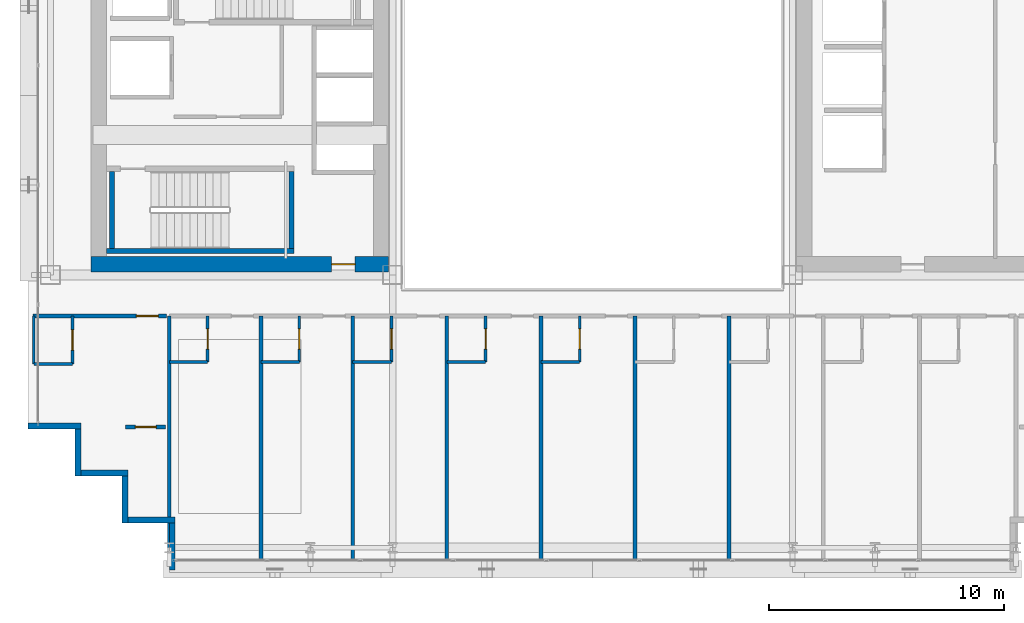
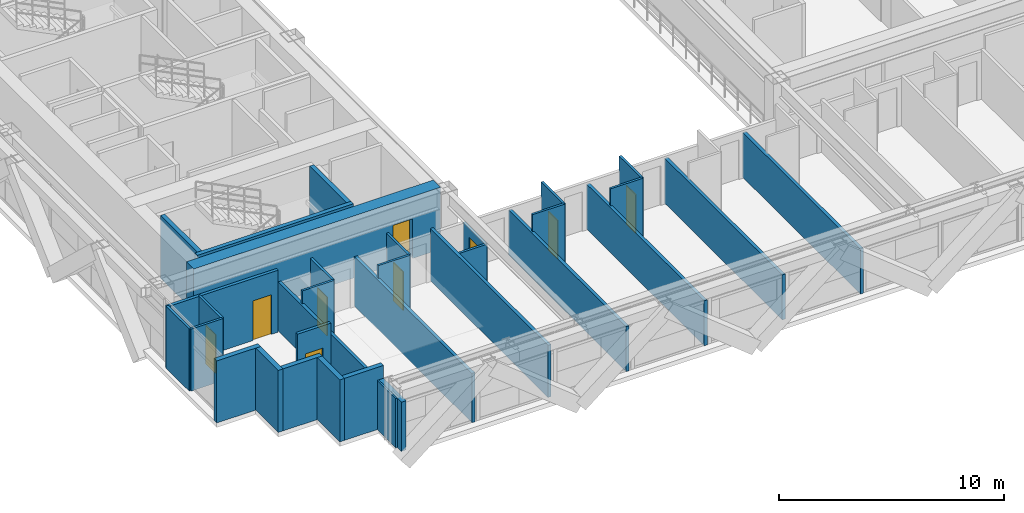
# One storey, part 27 of 36: 32 walls, 9 doors, 9 openings.
"""IFC4 building model written with IfcOpenShell, lengths in metres."""

from ifc_helpers import new_model, si_unit, direction, frame, frame_2d, origin, place, context, subcontext, project, spatial, rectangle, extrude, source, transform, mapped, material, layer, layer_set, type_object, element, fill, save


model = new_model("IFC4")

# Units and contexts
model_context = context("Model", 3, precision=1e-05, world=origin(), true_north=direction((0.0, 1.0)))
body_context = subcontext(model_context, "Body", "Model", "MODEL_VIEW")
ifc_project = project(units=[si_unit("LENGTHUNIT", "METRE"), si_unit("AREAUNIT", "SQUARE_METRE"), si_unit("VOLUMEUNIT", "CUBIC_METRE"), si_unit("PLANEANGLEUNIT", "RADIAN"), si_unit("MASSUNIT", "GRAM", prefix="KILO")], contexts=[model_context])

# Site, building, storey
site_placement = place(None, origin())
site = spatial("IfcSite", under=ifc_project, at=site_placement, CompositionType="ELEMENT")
building_placement = place(site_placement, origin())
building = spatial("IfcBuilding", under=site, at=building_placement, Name="Ocotamira Hotel", CompositionType="ELEMENT")
storey_placement = place(building_placement, frame((0.0, 0.0, 133.199951171875)))
storey = spatial("IfcBuildingStorey", under=building, at=storey_placement, Name="L33", CompositionType="ELEMENT", Elevation=133.199951171875)

# Wall, opening, door
ifc_material_1 = material(Name="Concrete C60/75", Category="concrete")
ifc_layer_1 = layer(ifc_material_1, 0.64990234375)
ifc_layer_set_1 = layer_set([ifc_layer_1], Name="Concrete C60/75")
wall_type_1 = type_object("IfcWallType", Name="WL-CORE-650", PredefinedType="SHEAR", material=ifc_layer_set_1)
wall_1_placement = place(storey_placement, frame((10.675048828125, 15.0, 0.0), z_axis=(0.0, 0.0, 1.0), x_axis=(1.0, 0.0, 0.0)))
wall_1 = element("IfcWall", 1, at=wall_1_placement, inside=storey, type_object=wall_type_1, Name="L33 Shear Core Wall WCORE-S", PredefinedType="SHEAR", context=body_context, shape_type="SweptSolid", body=[
    extrude(rectangle(XDim=12.64990234375, YDim=0.64990234375, at=frame_2d((6.324951171875, 0.0))), origin(), (0.0, 0.0, 1.0), 3.360107421875),
])
opening_1_placement = place(wall_1_placement, frame((10.22509765625, 0.0, 0.0)))
opening_1 = element("IfcOpeningElement", 2, at=opening_1_placement, cuts=wall_1, Name="Opening D-FR2", PredefinedType="OPENING", context=body_context, shape_type="SweptSolid", body=[
    extrude(rectangle(XDim=1.0, YDim=2.14990234375, at=frame_2d((0.5, 1.074951171875))), frame((0.0, 0.3349609375, 0.0), z_axis=(0.0, -1.0, 0.0), x_axis=(1.0, 0.0, 0.0)), (0.0, 0.0, 1.0), 0.669921875),
])
ifc_material_2 = material(Name="Fire-rated acoustic timber-veneer door", Category="wood")
door_type_1 = type_object("IfcDoorType", Name="DR-FIRE-1000", OperationType="NOTDEFINED", PredefinedType="DOOR", material=ifc_material_2)
shared_shape_1 = source(origin(), body_context, "Body", "SweptSolid", [
    extrude(rectangle(XDim=1.0, YDim=2.14990234375, at=frame_2d((0.5, 1.074951171875))), frame((0.0, 0.02490234375, 0.0), z_axis=(0.0, -1.0, 0.0), x_axis=(1.0, 0.0, 0.0)), (0.0, 0.0, 1.0), 0.050048828125),
])
door_1_placement = place(opening_1_placement, origin())
door_1 = element("IfcDoor", 3, at=door_1_placement, inside=storey, type_object=door_type_1, Name="L33 Door ID-L33-WLOB-S-D [ID-L33-WLOB-S-D]", OperationType="SINGLE_SWING_LEFT", OverallHeight=2.14990234375, OverallWidth=1.0, PredefinedType="DOOR", context=body_context, shape_type="MappedRepresentation", body=[
    mapped(shared_shape_1, transform((0.0, 0.0, 0.0), scale=1.0)),
])
fill(opening_1, door_1)

# Walls
ifc_material_3 = material(Name="Precast concrete C45/55", Category="concrete")
ifc_layer_2 = layer(ifc_material_3, 0.25)
ifc_layer_set_2 = layer_set([ifc_layer_2], Name="Precast concrete C45/55")
wall_type_2 = type_object("IfcWallType", Name="WL-EXT-SER-250", PredefinedType="SOLIDWALL", material=ifc_layer_set_2)
wall_2_placement = place(storey_placement, frame((8.0, 8.125, 0.0), z_axis=(0.0, 0.0, 1.0), x_axis=(1.0, 0.0, 0.0)))
element("IfcWall", 4, at=wall_2_placement, inside=storey, type_object=wall_type_2, Name="L33 Serrated Corner Wall 19", PredefinedType="SOLIDWALL", context=body_context, shape_type="SweptSolid", body=[
    extrude(rectangle(XDim=2.25, YDim=0.25, at=frame_2d((1.125, 0.0))), origin(), (0.0, 0.0, 1.0), 3.360107421875),
])
for number, where, z_axis, x_axis, name in (
    (5, (10.125, 8.0, 0.0), (0.0, 0.0, 1.0), (0.0, -1.0, 0.0), "L33 Serrated Corner Wall 20"),
    (6, (10.25, 6.125, 0.0), (0.0, 0.0, 1.0), (1.0, 0.0, 0.0), "L33 Serrated Corner Wall 21"),
    (7, (12.125, 6.0, 0.0), (0.0, 0.0, 1.0), (0.0, -1.0, 0.0), "L33 Serrated Corner Wall 22"),
    (8, (12.25, 4.125, 0.0), (0.0, 0.0, 1.0), (1.0, 0.0, 0.0), "L33 Serrated Corner Wall 23"),
):
    element("IfcWall", number, at=place(storey_placement, frame(where, z_axis=z_axis, x_axis=x_axis)), inside=storey, type_object=wall_type_2, Name=name, PredefinedType="SOLIDWALL", context=body_context, shape_type="SweptSolid", body=[
        extrude(rectangle(XDim=2.0, YDim=0.25, at=frame_2d((1.0, 0.0))), origin(), (0.0, 0.0, 1.0), 3.360107421875),
    ])
wall_3_placement = place(storey_placement, frame((14.125, 4.0, 0.0), z_axis=(0.0, 0.0, 1.0), x_axis=(0.0, -1.0, 0.0)))
element("IfcWall", 9, at=wall_3_placement, inside=storey, type_object=wall_type_2, Name="L33 Serrated Corner Wall 24", PredefinedType="SOLIDWALL", context=body_context, shape_type="SweptSolid", body=[
    extrude(rectangle(XDim=2.0, YDim=0.25, at=frame_2d((1.0, 0.0))), origin(), (0.0, 0.0, 1.0), 2.6669921875),
])

# Wall, opening, door
ifc_material_4 = material(Name="Acoustic double-layer fire gypsum board partition", Category="gypsum")
ifc_layer_3 = layer(ifc_material_4, 0.159912109375)
ifc_layer_set_3 = layer_set([ifc_layer_3], Name="Acoustic double-layer fire gypsum board partition")
wall_type_3 = type_object("IfcWallType", Name="WL-FIRE-160", PredefinedType="PARTITIONING", material=ifc_layer_set_3)
wall_4_placement = place(storey_placement, frame((8.199951171875, 12.800048828125, 0.0), z_axis=(0.0, 0.0, 1.0), x_axis=(1.0, 0.0, 0.0)))
wall_4 = element("IfcWall", 10, at=wall_4_placement, inside=storey, type_object=wall_type_3, Name="L33 Interior Wall PW-L33-Z2D-CSW-CW", PredefinedType="PARTITIONING", context=body_context, shape_type="SweptSolid", body=[
    extrude(rectangle(XDim=5.679931640625, YDim=0.159912109375, at=frame_2d((2.83984375, 0.0))), origin(), (0.0, 0.0, 1.0), 3.360107421875),
])
opening_2_placement = place(wall_4_placement, frame((4.39990234375, 0.0, 0.0)))
opening_2 = element("IfcOpeningElement", 11, at=opening_2_placement, cuts=wall_4, Name="Opening D-GR1", PredefinedType="OPENING", context=body_context, shape_type="SweptSolid", body=[
    extrude(rectangle(XDim=0.93994140625, YDim=2.14990234375, at=frame_2d((0.469970703125, 1.074951171875))), frame((0.0, 0.08984375, 0.0), z_axis=(0.0, -1.0, 0.0), x_axis=(1.0, 0.0, 0.0)), (0.0, 0.0, 1.0), 0.179931640625),
])
ifc_material_5 = material(Name="Solid-core walnut suite entrance fire door", Category="wood")
door_type_2 = type_object("IfcDoorType", Name="DR-GUEST-940", OperationType="NOTDEFINED", PredefinedType="DOOR", material=ifc_material_5)
shared_shape_2 = source(origin(), body_context, "Body", "SweptSolid", [
    extrude(rectangle(XDim=0.93994140625, YDim=2.14990234375, at=frame_2d((0.469970703125, 1.074951171875))), frame((0.0, 0.02490234375, 0.0), z_axis=(0.0, -1.0, 0.0), x_axis=(1.0, 0.0, 0.0)), (0.0, 0.0, 1.0), 0.050048828125),
])
door_2_placement = place(opening_2_placement, origin())
door_2 = element("IfcDoor", 12, at=door_2_placement, inside=storey, type_object=door_type_2, Name="L33 Door ID-L33-Z2D-CSW-CD [ID-L33-Z2D-CSW-CD]", OperationType="SINGLE_SWING_RIGHT", OverallHeight=2.14990234375, OverallWidth=0.93994140625, PredefinedType="DOOR", context=body_context, shape_type="MappedRepresentation", body=[
    mapped(shared_shape_2, transform((0.0, 0.0, 0.0), scale=1.0)),
])
fill(opening_2, door_2)

wall_5_placement = place(storey_placement, frame((12.14990234375, 8.080078125, 0.0), z_axis=(0.0, 0.0, 1.0), x_axis=(1.0, 0.0, 0.0)))
wall_5 = element("IfcWall", 13, at=wall_5_placement, inside=storey, type_object=wall_type_3, Name="L33 Interior Wall PW-L33-Z2D-CSW2-CW", PredefinedType="PARTITIONING", context=body_context, shape_type="SweptSolid", body=[
    extrude(rectangle(XDim=1.7001953125, YDim=0.159912109375, at=frame_2d((0.85009765625, 0.0))), origin(), (0.0, 0.0, 1.0), 3.360107421875),
])
opening_3_placement = place(wall_5_placement, frame((0.409912109375, 0.0, 0.0)))
opening_3 = element("IfcOpeningElement", 14, at=opening_3_placement, cuts=wall_5, Name="Opening D-SV2", PredefinedType="OPENING", context=body_context, shape_type="SweptSolid", body=[
    extrude(rectangle(XDim=0.8798828125, YDim=2.14990234375, at=frame_2d((0.43994140625, 1.074951171875))), frame((0.0, 0.08984375, 0.0), z_axis=(0.0, -1.0, 0.0), x_axis=(1.0, 0.0, 0.0)), (0.0, 0.0, 1.0), 0.179931640625),
])
ifc_material_6 = material(Name="Fire-rated painted steel service door", Category="steel")
door_type_3 = type_object("IfcDoorType", Name="DR-SERV-880", OperationType="NOTDEFINED", PredefinedType="DOOR", material=ifc_material_6)
shared_shape_3 = source(origin(), body_context, "Body", "SweptSolid", [
    extrude(rectangle(XDim=0.8798828125, YDim=2.14990234375, at=frame_2d((0.43994140625, 1.074951171875))), frame((0.0, 0.02490234375, 0.0), z_axis=(0.0, -1.0, 0.0), x_axis=(1.0, 0.0, 0.0)), (0.0, 0.0, 1.0), 0.050048828125),
])
door_3_placement = place(opening_3_placement, origin())
door_3 = element("IfcDoor", 15, at=door_3_placement, inside=storey, type_object=door_type_3, Name="L33 Door ID-L33-Z2D-CSW2-CD [ID-L33-Z2D-CSW2-CD]", OperationType="SINGLE_SWING_LEFT", OverallHeight=2.14990234375, OverallWidth=0.8798828125, PredefinedType="DOOR", context=body_context, shape_type="MappedRepresentation", body=[
    mapped(shared_shape_3, transform((0.0, 0.0, 0.0), scale=1.0)),
])
fill(opening_3, door_3)

ifc_material_7 = material(Name="Moisture-resistant en-suite tile and gypsum partition", Category="gypsum")
ifc_layer_4 = layer(ifc_material_7, 0.1201171875)
ifc_layer_set_4 = layer_set([ifc_layer_4], Name="Moisture-resistant en-suite tile and gypsum partition")
wall_type_4 = type_object("IfcWallType", Name="WL-PART-120", PredefinedType="PARTITIONING", material=ifc_layer_set_4)
wall_6_placement = place(storey_placement, frame((9.889892578125, 10.760009765625, 0.0), z_axis=(0.0, 0.0, 1.0), x_axis=(0.0, 1.0, 0.0)))
wall_6 = element("IfcWall", 16, at=wall_6_placement, inside=storey, type_object=wall_type_4, Name="L33 Interior Wall PW-L33-Z2D-CSW-BE", PredefinedType="PARTITIONING", context=body_context, shape_type="SweptSolid", body=[
    extrude(rectangle(XDim=2.0400390625, YDim=0.1201171875, at=frame_2d((1.02001953125, 0.0))), origin(), (0.0, 0.0, 1.0), 3.360107421875),
])
opening_4_placement = place(wall_6_placement, frame((0.590087890625, 0.0, 0.0)))
opening_4 = element("IfcOpeningElement", 17, at=opening_4_placement, cuts=wall_6, Name="Opening D-BA1", PredefinedType="OPENING", context=body_context, shape_type="SweptSolid", body=[
    extrude(rectangle(XDim=0.860107421875, YDim=2.10009765625, at=frame_2d((0.43017578125, 1.050048828125))), frame((0.0, 0.070068359375, 0.0), z_axis=(0.0, -1.0, 0.0), x_axis=(1.0, 0.0, 0.0)), (0.0, 0.0, 1.0), 0.14013671875),
])
ifc_material_8 = material(Name="Moisture-sealed en-suite timber door", Category="wood")
door_type_4 = type_object("IfcDoorType", Name="DR-BATH-860", OperationType="NOTDEFINED", PredefinedType="DOOR", material=ifc_material_8)
shared_shape_4 = source(origin(), body_context, "Body", "SweptSolid", [
    extrude(rectangle(XDim=0.860107421875, YDim=2.10009765625, at=frame_2d((0.43017578125, 1.050048828125))), frame((0.0, 0.02490234375, 0.0), z_axis=(0.0, -1.0, 0.0), x_axis=(1.0, 0.0, 0.0)), (0.0, 0.0, 1.0), 0.050048828125),
])
door_4_placement = place(opening_4_placement, origin())
door_4 = element("IfcDoor", 18, at=door_4_placement, inside=storey, type_object=door_type_4, Name="L33 Door ID-L33-Z2D-CSW-BD [ID-L33-Z2D-CSW-BD]", OperationType="SINGLE_SWING_LEFT", OverallHeight=2.10009765625, OverallWidth=0.860107421875, PredefinedType="DOOR", context=body_context, shape_type="MappedRepresentation", body=[
    mapped(shared_shape_4, transform((0.0, 0.0, 0.0), scale=1.0)),
])
fill(opening_4, door_4)

# Walls
wall_7_placement = place(storey_placement, frame((8.239990234375, 10.760009765625, 0.0), z_axis=(0.0, 0.0, 1.0), x_axis=(0.0, 1.0, 0.0)))
element("IfcWall", 19, at=wall_7_placement, inside=storey, type_object=wall_type_4, Name="L33 Interior Wall PW-L33-Z2D-CSW-BW", PredefinedType="PARTITIONING", context=body_context, shape_type="SweptSolid", body=[
    extrude(rectangle(XDim=2.0400390625, YDim=0.1201171875, at=frame_2d((1.02001953125, 0.0))), origin(), (0.0, 0.0, 1.0), 3.360107421875),
])
wall_8_placement = place(storey_placement, frame((8.239990234375, 10.760009765625, 0.0), z_axis=(0.0, 0.0, 1.0), x_axis=(1.0, 0.0, 0.0)))
element("IfcWall", 20, at=wall_8_placement, inside=storey, type_object=wall_type_4, Name="L33 Interior Wall PW-L33-Z2D-CSW-BH", PredefinedType="PARTITIONING", context=body_context, shape_type="SweptSolid", body=[
    extrude(rectangle(XDim=1.64990234375, YDim=0.1201171875, at=frame_2d((0.824951171875, 0.0))), origin(), (0.0, 0.0, 1.0), 3.360107421875),
])

# Wall, opening, door
wall_9_placement = place(storey_placement, frame((15.6298828125, 10.85009765625, 0.0), z_axis=(0.0, 0.0, 1.0), x_axis=(0.0, 1.0, 0.0)))
wall_9 = element("IfcWall", 21, at=wall_9_placement, inside=storey, type_object=wall_type_4, Name="L33 Interior Wall PW-L33-Z2DS-BAE1", PredefinedType="PARTITIONING", context=body_context, shape_type="SweptSolid", body=[
    extrude(rectangle(XDim=1.949951171875, YDim=0.1201171875, at=frame_2d((0.97509765625, 0.0))), origin(), (0.0, 0.0, 1.0), 3.360107421875),
])
opening_5_placement = place(wall_9_placement, frame((0.544921875, 0.0, 0.0)))
opening_5 = element("IfcOpeningElement", 22, at=opening_5_placement, cuts=wall_9, Name="Opening D-BA1", PredefinedType="OPENING", context=body_context, shape_type="SweptSolid", body=[
    extrude(rectangle(XDim=0.860107421875, YDim=2.10009765625, at=frame_2d((0.43017578125, 1.050048828125))), frame((0.0, 0.070068359375, 0.0), z_axis=(0.0, -1.0, 0.0), x_axis=(1.0, 0.0, 0.0)), (0.0, 0.0, 1.0), 0.14013671875),
])
door_5_placement = place(opening_5_placement, origin())
door_5 = element("IfcDoor", 23, at=door_5_placement, inside=storey, type_object=door_type_4, Name="L33 Door ID-L33-Z2DS-BAD1 [ID-L33-Z2DS-BAD1]", OperationType="SINGLE_SWING_RIGHT", OverallHeight=2.10009765625, OverallWidth=0.860107421875, PredefinedType="DOOR", context=body_context, shape_type="MappedRepresentation", body=[
    mapped(shared_shape_4, transform((0.0, 0.0, 0.0), scale=1.0)),
])
fill(opening_5, door_5)

# Wall
wall_10_placement = place(storey_placement, frame((14.0, 10.85009765625, 0.0), z_axis=(0.0, 0.0, 1.0), x_axis=(1.0, 0.0, 0.0)))
element("IfcWall", 24, at=wall_10_placement, inside=storey, type_object=wall_type_4, Name="L33 Interior Wall PW-L33-Z2DS-BAS1", PredefinedType="PARTITIONING", context=body_context, shape_type="SweptSolid", body=[
    extrude(rectangle(XDim=1.6298828125, YDim=0.1201171875, at=frame_2d((0.81494140625, 0.0))), origin(), (0.0, 0.0, 1.0), 3.360107421875),
])

# Wall, opening, door
wall_11_placement = place(storey_placement, frame((19.530029296875, 10.85009765625, 0.0), z_axis=(0.0, 0.0, 1.0), x_axis=(0.0, 1.0, 0.0)))
wall_11 = element("IfcWall", 25, at=wall_11_placement, inside=storey, type_object=wall_type_4, Name="L33 Interior Wall PW-L33-Z2DS-BAE2", PredefinedType="PARTITIONING", context=body_context, shape_type="SweptSolid", body=[
    extrude(rectangle(XDim=1.949951171875, YDim=0.1201171875, at=frame_2d((0.97509765625, 0.0))), origin(), (0.0, 0.0, 1.0), 3.360107421875),
])
opening_6_placement = place(wall_11_placement, frame((0.544921875, 0.0, 0.0)))
opening_6 = element("IfcOpeningElement", 26, at=opening_6_placement, cuts=wall_11, Name="Opening D-BA1", PredefinedType="OPENING", context=body_context, shape_type="SweptSolid", body=[
    extrude(rectangle(XDim=0.860107421875, YDim=2.10009765625, at=frame_2d((0.43017578125, 1.050048828125))), frame((0.0, 0.070068359375, 0.0), z_axis=(0.0, -1.0, 0.0), x_axis=(1.0, 0.0, 0.0)), (0.0, 0.0, 1.0), 0.14013671875),
])
door_6_placement = place(opening_6_placement, origin())
door_6 = element("IfcDoor", 27, at=door_6_placement, inside=storey, type_object=door_type_4, Name="L33 Door ID-L33-Z2DS-BAD2 [ID-L33-Z2DS-BAD2]", OperationType="SINGLE_SWING_LEFT", OverallHeight=2.10009765625, OverallWidth=0.860107421875, PredefinedType="DOOR", context=body_context, shape_type="MappedRepresentation", body=[
    mapped(shared_shape_4, transform((0.0, 0.0, 0.0), scale=1.0)),
])
fill(opening_6, door_6)

# Wall
wall_12_placement = place(storey_placement, frame((17.89990234375, 10.85009765625, 0.0), z_axis=(0.0, 0.0, 1.0), x_axis=(1.0, 0.0, 0.0)))
element("IfcWall", 28, at=wall_12_placement, inside=storey, type_object=wall_type_4, Name="L33 Interior Wall PW-L33-Z2DS-BAS2", PredefinedType="PARTITIONING", context=body_context, shape_type="SweptSolid", body=[
    extrude(rectangle(XDim=1.630126953125, YDim=0.1201171875, at=frame_2d((0.81494140625, 0.0))), origin(), (0.0, 0.0, 1.0), 3.360107421875),
])

# Wall, opening, door
wall_13_placement = place(storey_placement, frame((23.449951171875, 10.85009765625, 0.0), z_axis=(0.0, 0.0, 1.0), x_axis=(0.0, 1.0, 0.0)))
wall_13 = element("IfcWall", 29, at=wall_13_placement, inside=storey, type_object=wall_type_4, Name="L33 Interior Wall PW-L33-Z2DS-BAE3", PredefinedType="PARTITIONING", context=body_context, shape_type="SweptSolid", body=[
    extrude(rectangle(XDim=1.949951171875, YDim=0.1201171875, at=frame_2d((0.97509765625, 0.0))), origin(), (0.0, 0.0, 1.0), 2.5810546875),
])
opening_7_placement = place(wall_13_placement, frame((0.544921875, 0.0, 0.0)))
opening_7 = element("IfcOpeningElement", 30, at=opening_7_placement, cuts=wall_13, Name="Opening D-BA1", PredefinedType="OPENING", context=body_context, shape_type="SweptSolid", body=[
    extrude(rectangle(XDim=0.860107421875, YDim=2.10009765625, at=frame_2d((0.43017578125, 1.050048828125))), frame((0.0, 0.070068359375, 0.0), z_axis=(0.0, -1.0, 0.0), x_axis=(1.0, 0.0, 0.0)), (0.0, 0.0, 1.0), 0.14013671875),
])
door_7_placement = place(opening_7_placement, origin())
door_7 = element("IfcDoor", 31, at=door_7_placement, inside=storey, type_object=door_type_4, Name="L33 Door ID-L33-Z2DS-BAD3 [ID-L33-Z2DS-BAD3]", OperationType="SINGLE_SWING_RIGHT", OverallHeight=2.10009765625, OverallWidth=0.860107421875, PredefinedType="DOOR", context=body_context, shape_type="MappedRepresentation", body=[
    mapped(shared_shape_4, transform((0.0, 0.0, 0.0), scale=1.0)),
])
fill(opening_7, door_7)

# Wall
wall_14_placement = place(storey_placement, frame((21.800048828125, 10.85009765625, 0.0), z_axis=(0.0, 0.0, 1.0), x_axis=(1.0, 0.0, 0.0)))
element("IfcWall", 32, at=wall_14_placement, inside=storey, type_object=wall_type_4, Name="L33 Interior Wall PW-L33-Z2DS-BAS3", PredefinedType="PARTITIONING", context=body_context, shape_type="SweptSolid", body=[
    extrude(rectangle(XDim=1.64990234375, YDim=0.1201171875, at=frame_2d((0.824951171875, 0.0))), origin(), (0.0, 0.0, 1.0), 2.5810546875),
])

# Wall, opening, door
wall_15_placement = place(storey_placement, frame((27.449951171875, 10.85009765625, 0.0), z_axis=(0.0, 0.0, 1.0), x_axis=(0.0, 1.0, 0.0)))
wall_15 = element("IfcWall", 33, at=wall_15_placement, inside=storey, type_object=wall_type_4, Name="L33 Interior Wall PW-L33-Z2DS-BAE4", PredefinedType="PARTITIONING", context=body_context, shape_type="SweptSolid", body=[
    extrude(rectangle(XDim=1.949951171875, YDim=0.1201171875, at=frame_2d((0.97509765625, 0.0))), origin(), (0.0, 0.0, 1.0), 3.360107421875),
])
opening_8_placement = place(wall_15_placement, frame((0.544921875, 0.0, 0.0)))
opening_8 = element("IfcOpeningElement", 34, at=opening_8_placement, cuts=wall_15, Name="Opening D-BA1", PredefinedType="OPENING", context=body_context, shape_type="SweptSolid", body=[
    extrude(rectangle(XDim=0.860107421875, YDim=2.10009765625, at=frame_2d((0.43017578125, 1.050048828125))), frame((0.0, 0.070068359375, 0.0), z_axis=(0.0, -1.0, 0.0), x_axis=(1.0, 0.0, 0.0)), (0.0, 0.0, 1.0), 0.14013671875),
])
door_8_placement = place(opening_8_placement, origin())
door_8 = element("IfcDoor", 35, at=door_8_placement, inside=storey, type_object=door_type_4, Name="L33 Door ID-L33-Z2DS-BAD4 [ID-L33-Z2DS-BAD4]", OperationType="SINGLE_SWING_LEFT", OverallHeight=2.10009765625, OverallWidth=0.860107421875, PredefinedType="DOOR", context=body_context, shape_type="MappedRepresentation", body=[
    mapped(shared_shape_4, transform((0.0, 0.0, 0.0), scale=1.0)),
])
fill(opening_8, door_8)

# Wall
wall_16_placement = place(storey_placement, frame((25.800048828125, 10.85009765625, 0.0), z_axis=(0.0, 0.0, 1.0), x_axis=(1.0, 0.0, 0.0)))
element("IfcWall", 36, at=wall_16_placement, inside=storey, type_object=wall_type_4, Name="L33 Interior Wall PW-L33-Z2DS-BAS4", PredefinedType="PARTITIONING", context=body_context, shape_type="SweptSolid", body=[
    extrude(rectangle(XDim=1.64990234375, YDim=0.1201171875, at=frame_2d((0.824951171875, 0.0))), origin(), (0.0, 0.0, 1.0), 3.360107421875),
])

# Wall, opening, door
wall_17_placement = place(storey_placement, frame((31.449951171875, 10.85009765625, 0.0), z_axis=(0.0, 0.0, 1.0), x_axis=(0.0, 1.0, 0.0)))
wall_17 = element("IfcWall", 37, at=wall_17_placement, inside=storey, type_object=wall_type_4, Name="L33 Interior Wall PW-L33-Z2DS-BAE5", PredefinedType="PARTITIONING", context=body_context, shape_type="SweptSolid", body=[
    extrude(rectangle(XDim=1.949951171875, YDim=0.1201171875, at=frame_2d((0.97509765625, 0.0))), origin(), (0.0, 0.0, 1.0), 3.360107421875),
])
opening_9_placement = place(wall_17_placement, frame((0.544921875, 0.0, 0.0)))
opening_9 = element("IfcOpeningElement", 38, at=opening_9_placement, cuts=wall_17, Name="Opening D-BA1", PredefinedType="OPENING", context=body_context, shape_type="SweptSolid", body=[
    extrude(rectangle(XDim=0.860107421875, YDim=2.10009765625, at=frame_2d((0.43017578125, 1.050048828125))), frame((0.0, 0.070068359375, 0.0), z_axis=(0.0, -1.0, 0.0), x_axis=(1.0, 0.0, 0.0)), (0.0, 0.0, 1.0), 0.14013671875),
])
door_9_placement = place(opening_9_placement, origin())
door_9 = element("IfcDoor", 39, at=door_9_placement, inside=storey, type_object=door_type_4, Name="L33 Door ID-L33-Z2DS-BAD5 [ID-L33-Z2DS-BAD5]", OperationType="SINGLE_SWING_RIGHT", OverallHeight=2.10009765625, OverallWidth=0.860107421875, PredefinedType="DOOR", context=body_context, shape_type="MappedRepresentation", body=[
    mapped(shared_shape_4, transform((0.0, 0.0, 0.0), scale=1.0)),
])
fill(opening_9, door_9)

# Walls
wall_18_placement = place(storey_placement, frame((29.800048828125, 10.85009765625, 0.0), z_axis=(0.0, 0.0, 1.0), x_axis=(1.0, 0.0, 0.0)))
element("IfcWall", 40, at=wall_18_placement, inside=storey, type_object=wall_type_4, Name="L33 Interior Wall PW-L33-Z2DS-BAS5", PredefinedType="PARTITIONING", context=body_context, shape_type="SweptSolid", body=[
    extrude(rectangle(XDim=1.64990234375, YDim=0.1201171875, at=frame_2d((0.824951171875, 0.0))), origin(), (0.0, 0.0, 1.0), 3.360107421875),
])
ifc_material_9 = material(Name="Acoustic double-stud hospitality gypsum partition", Category="gypsum")
ifc_layer_5 = layer(ifc_material_9, 0.159912109375)
ifc_layer_set_5 = layer_set([ifc_layer_5], Name="Acoustic double-stud hospitality gypsum partition")
wall_type_5 = type_object("IfcWallType", Name="WL-PART-160", PredefinedType="PARTITIONING", material=ifc_layer_set_5)
for number, where, z_axis, x_axis, name in (
    (41, (14.0, 2.360107421875, 0.0), (0.0, 0.0, 1.0), (0.0, 1.0, 0.0), "L33 Interior Wall PW-L33-Z2DS-PW0"),
    (42, (17.89990234375, 2.360107421875, 0.0), (0.0, 0.0, 1.0), (0.0, 1.0, 0.0), "L33 Interior Wall PW-L33-Z2DS-PW1"),
):
    element("IfcWall", number, at=place(storey_placement, frame(where, z_axis=z_axis, x_axis=x_axis)), inside=storey, type_object=wall_type_5, Name=name, PredefinedType="PARTITIONING", context=body_context, shape_type="SweptSolid", body=[
        extrude(rectangle(XDim=10.43994140625, YDim=0.159912109375, at=frame_2d((5.219970703125, 0.0))), origin(), (0.0, 0.0, 1.0), 2.6669921875),
    ])
wall_19_placement = place(storey_placement, frame((21.800048828125, 2.360107421875, 0.0), z_axis=(0.0, 0.0, 1.0), x_axis=(0.0, 1.0, 0.0)))
element("IfcWall", 43, at=wall_19_placement, inside=storey, type_object=wall_type_5, Name="L33 Interior Wall PW-L33-Z2DS-PW2", PredefinedType="PARTITIONING", context=body_context, shape_type="SweptSolid", body=[
    extrude(rectangle(XDim=10.43994140625, YDim=0.159912109375, at=frame_2d((5.219970703125, 0.0))), origin(), (0.0, 0.0, 1.0), 2.822998046875),
])
for number, where, z_axis, x_axis, name in (
    (44, (25.800048828125, 2.360107421875, 0.0), (0.0, 0.0, 1.0), (0.0, 1.0, 0.0), "L33 Interior Wall PW-L33-Z2DS-PW3"),
    (45, (29.800048828125, 2.360107421875, 0.0), (0.0, 0.0, 1.0), (0.0, 1.0, 0.0), "L33 Interior Wall PW-L33-Z2DS-PW4"),
    (46, (33.800048828125, 2.360107421875, 0.0), (0.0, 0.0, 1.0), (0.0, 1.0, 0.0), "L33 Interior Wall PW-L33-Z2DS-PW5"),
    (47, (37.800048828125, 2.360107421875, 0.0), (0.0, 0.0, 1.0), (0.0, 1.0, 0.0), "L33 Interior Wall PW-L33-Z2DS-PW6"),
):
    element("IfcWall", number, at=place(storey_placement, frame(where, z_axis=z_axis, x_axis=x_axis)), inside=storey, type_object=wall_type_5, Name=name, PredefinedType="PARTITIONING", context=body_context, shape_type="SweptSolid", body=[
        extrude(rectangle(XDim=10.43994140625, YDim=0.159912109375, at=frame_2d((5.219970703125, 0.0))), origin(), (0.0, 0.0, 1.0), 2.43310546875),
    ])
ifc_material_10 = material(Name="Concrete C50/60", Category="concrete")
ifc_layer_6 = layer(ifc_material_10, 0.219970703125)
ifc_layer_set_6 = layer_set([ifc_layer_6], Name="Concrete C50/60")
wall_type_6 = type_object("IfcWallType", Name="WL-STAIR-220", PredefinedType="SHEAR", material=ifc_layer_set_6)
wall_20_placement = place(storey_placement, frame((11.324951171875, 15.56005859375, 0.0), z_axis=(0.0, 0.0, 1.0), x_axis=(1.0, 0.0, 0.0)))
element("IfcWall", 48, at=wall_20_placement, inside=storey, type_object=wall_type_6, Name="L33 Stair Shaft Structural Wall ST-1-S", PredefinedType="SHEAR", context=body_context, shape_type="SweptSolid", body=[
    extrude(rectangle(XDim=7.985107421875, YDim=0.219970703125, at=frame_2d((3.99267578125, 0.0))), origin(), (0.0, 0.0, 1.0), 3.400146484375),
])
for number, where, z_axis, x_axis, name in (
    (49, (11.56005859375, 15.669921875, 0.0), (0.0, 0.0, 1.0), (0.0, 1.0, 0.0), "L33 Stair Shaft Structural Wall ST-1-W"),
    (50, (19.199951171875, 15.669921875, 0.0), (0.0, 0.0, 1.0), (0.0, 1.0, 0.0), "L33 Stair Shaft Structural Wall ST-1-E"),
):
    element("IfcWall", number, at=place(storey_placement, frame(where, z_axis=z_axis, x_axis=x_axis)), inside=storey, type_object=wall_type_6, Name=name, PredefinedType="SHEAR", context=body_context, shape_type="SweptSolid", body=[
        extrude(rectangle(XDim=3.280029296875, YDim=0.219970703125, at=frame_2d((1.64013671875, 0.0))), origin(), (0.0, 0.0, 1.0), 3.400146484375),
    ])

save(model, "model.ifc")
